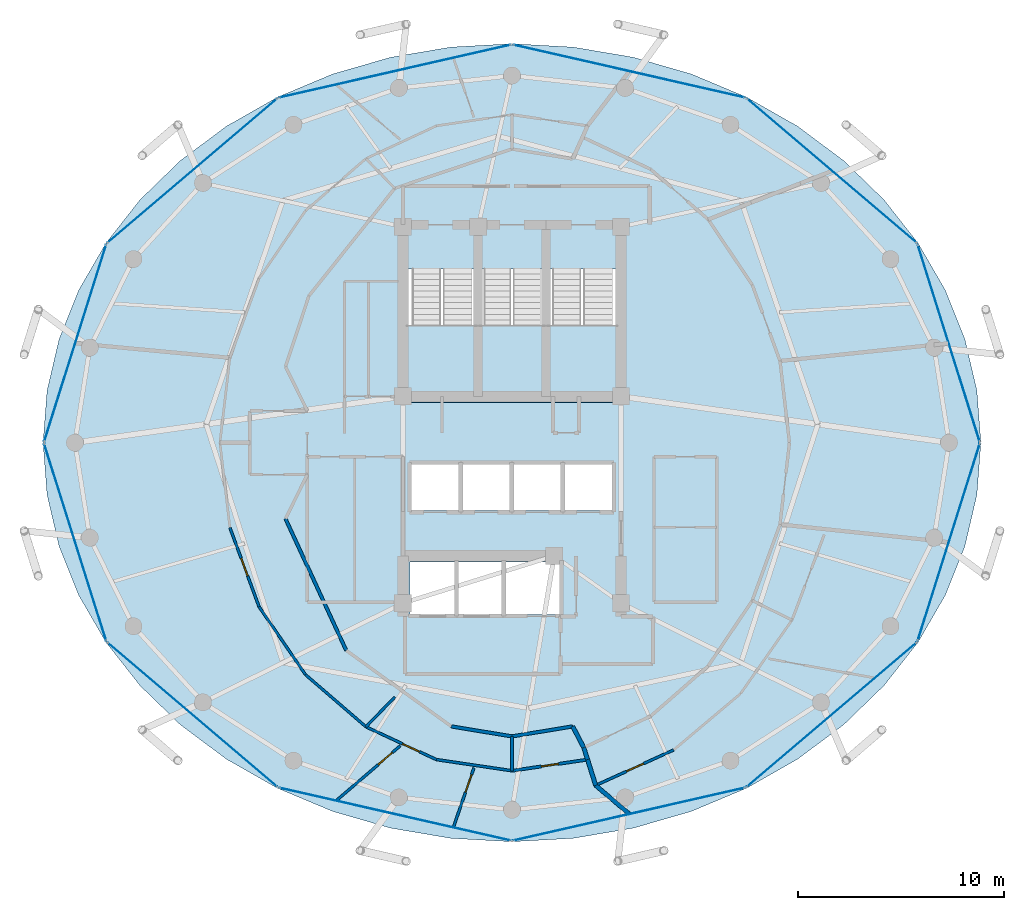
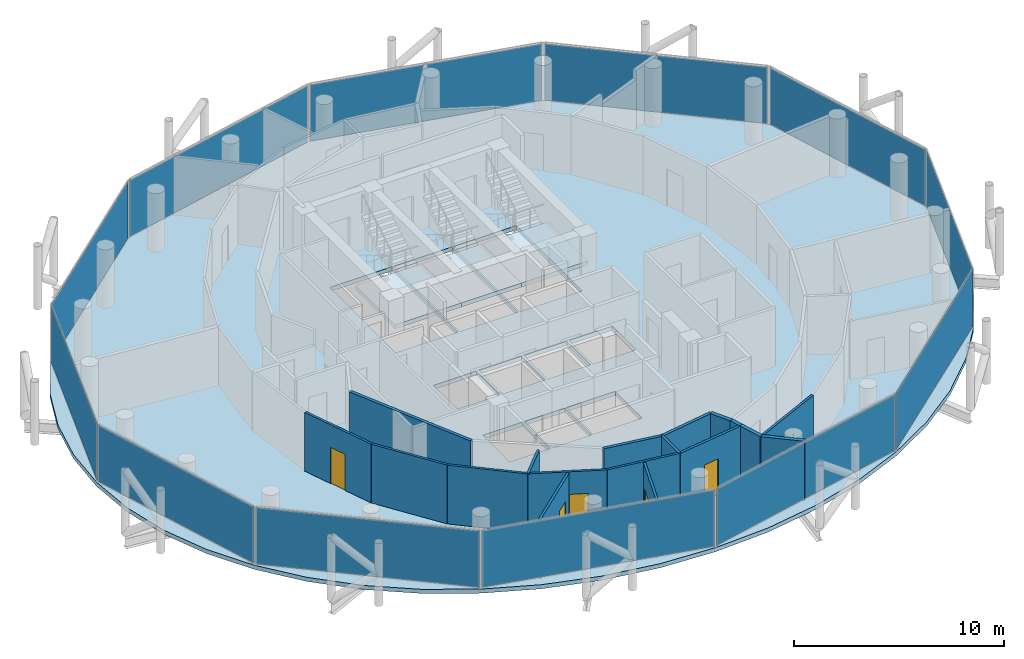
# One storey, part 22 of 27: 18 walls, 12 plates, 6 doors, 4 slabs, 6 openings, 15 elements without a shape of their own.
"""IFC4 building model written with IfcOpenShell, lengths in metres."""

import ifcopenshell
import ifcopenshell.guid

model = None  # the IFC model being written
_history = None  # IfcOwnerHistory: only IFC2X3 demands one
_inside = {}  # id of a spatial element -> (the spatial element, [elements in it])
_under = {}  # id of a project, library or spatial element -> (it, [spatial elements below it])
_declared = {}  # id of a project -> (the project, [libraries it declares])
_typed = {}  # id of a type object -> (the type object, [elements of that type])
_made_of = {}  # id of a material, layer set ... -> (it, [elements and type objects made of it])


def new_model(schema):
    """Start an empty IFC model of exactly this schema.

    Asked for "IFC4X3", IfcOpenShell would pick the latest addendum, in which some entities
    have other attributes; the version numbers below select the first issue.
    IFC2X3 requires an IfcOwnerHistory on every rooted entity: one is made here for all.
    """
    global model, _history
    if schema == "IFC4X3":
        model = ifcopenshell.file(schema_version=(4, 3, 0, 0))
    else:
        model = ifcopenshell.file(schema=schema)
    _inside.clear()
    _under.clear()
    _declared.clear()
    _typed.clear()
    _made_of.clear()
    _history = None
    if model.schema == "IFC2X3":
        org = make("IfcOrganization", Name="unknown")
        user = make(
            "IfcPersonAndOrganization",
            ThePerson=make("IfcPerson", FamilyName="unknown"),
            TheOrganization=org,
        )
        app = make(
            "IfcApplication",
            ApplicationDeveloper=org,
            Version="unknown",
            ApplicationFullName="unknown",
            ApplicationIdentifier="unknown",
        )
        _history = make(
            "IfcOwnerHistory",
            OwningUser=user,
            OwningApplication=app,
            ChangeAction="ADDED",
            CreationDate=0,
        )
    return model


def make(cls, **values):
    """One entity of the class cls with the attributes given. An attribute that is None is left unset."""
    return model.create_entity(
        cls, **{name: value for name, value in values.items() if value is not None}
    )


def rooted(cls, **values):
    """An entity with a GlobalId (a new one), such as an element, a storey or a relation."""
    return make(cls, GlobalId=ifcopenshell.guid.new(), OwnerHistory=_history, **values)


def si_unit(unit_type, name, prefix=None):
    """IfcSIUnit, for example si_unit("LENGTHUNIT", "METRE", prefix="MILLI")."""
    return make("IfcSIUnit", UnitType=unit_type, Prefix=prefix, Name=name)


def assignment(units):
    """IfcUnitAssignment: the units of a project."""
    return None if units is None else make("IfcUnitAssignment", Units=units)


def point(xyz):
    """IfcCartesianPoint."""
    return None if xyz is None else make("IfcCartesianPoint", Coordinates=xyz)


def direction(xyz):
    """IfcDirection."""
    return None if xyz is None else make("IfcDirection", DirectionRatios=xyz)


def frame(location, z_axis=None, x_axis=None):
    """IfcAxis2Placement3D, a coordinate frame: its origin and axes. An axis left out is left unset."""
    return make(
        "IfcAxis2Placement3D",
        Location=point(location),
        Axis=direction(z_axis),
        RefDirection=direction(x_axis),
    )


def frame_2d(location, x_axis=None):
    """IfcAxis2Placement2D, a coordinate frame in the plane: its origin and x axis."""
    return make(
        "IfcAxis2Placement2D", Location=point(location), RefDirection=direction(x_axis)
    )


def origin():
    """The frame at (0, 0, 0) with its axes left unset."""
    return frame((0.0, 0.0, 0.0))


def origin_2d():
    """The frame at (0, 0) in the plane with its x axis left unset."""
    return frame_2d((0.0, 0.0))


def place(relative_to, where):
    """IfcLocalPlacement: puts the frame where relative to a parent placement (None: the world)."""
    return make(
        "IfcLocalPlacement", PlacementRelTo=relative_to, RelativePlacement=where
    )


def context(
    kind, dimensions, precision=None, world=None, true_north=None, identifier=None
):
    """IfcGeometricRepresentationContext, for example the 3D "Model" context."""
    return make(
        "IfcGeometricRepresentationContext",
        ContextIdentifier=identifier,
        ContextType=kind,
        CoordinateSpaceDimension=dimensions,
        Precision=precision,
        WorldCoordinateSystem=world,
        TrueNorth=true_north,
    )


def subcontext(parent, identifier, kind, view, scale=None):
    """IfcGeometricRepresentationSubContext, for example "Body" below "Model"."""
    return make(
        "IfcGeometricRepresentationSubContext",
        ContextIdentifier=identifier,
        ContextType=kind,
        ParentContext=parent,
        TargetScale=scale,
        TargetView=view,
    )


def project(units=None, contexts=None):
    """IfcProject with its units and contexts."""
    return rooted(
        "IfcProject",
        Name="project",
        RepresentationContexts=contexts,
        UnitsInContext=assignment(units),
    )


def spatial(cls, under=None, at=None, **own):
    """A site, building, storey or space (cls), placed at a placement, below another one or the project."""
    s = rooted(cls, ObjectPlacement=at, **own)
    if under is not None:
        _under.setdefault(under.id(), (under, []))[1].append(s)
    return s


def polyline(points):
    """IfcPolyline through the points."""
    return make("IfcPolyline", Points=[point(p) for p in points])


def profile(cls, at=None, kind="AREA", **sizes):
    """A parametric profile (cls). Its sizes go by their IFC names, for example OverallWidth=200.0."""
    return make(cls, ProfileType=kind, Position=at, **sizes)


def rectangle(**sizes):
    """IfcRectangleProfileDef."""
    return profile("IfcRectangleProfileDef", **sizes)


def outline(outer, holes=None, kind="AREA"):
    """IfcArbitraryClosedProfileDef: a profile drawn as a closed curve; with holes, ...WithVoids."""
    if holes is None:
        return make("IfcArbitraryClosedProfileDef", ProfileType=kind, OuterCurve=outer)
    return make(
        "IfcArbitraryProfileDefWithVoids",
        ProfileType=kind,
        OuterCurve=outer,
        InnerCurves=holes,
    )


def extrude(swept, where, along, depth):
    """IfcExtrudedAreaSolid: the profile swept, set in the frame where, extruded along a direction by depth."""
    return make(
        "IfcExtrudedAreaSolid",
        SweptArea=swept,
        Position=where,
        ExtrudedDirection=direction(along),
        Depth=depth,
    )


def shape(context_of_items, identifier, shape_type, items):
    """IfcShapeRepresentation: the items that make up one representation, for example the "Body"."""
    return make(
        "IfcShapeRepresentation",
        ContextOfItems=context_of_items,
        RepresentationIdentifier=identifier,
        RepresentationType=shape_type,
        Items=items,
    )


def material(Name=None, Category=None):
    """IfcMaterial."""
    return make("IfcMaterial", Name=Name, Category=Category)


def layer(
    of_material, thickness, ventilated=None, Name=None, Category=None, Priority=None
):
    """IfcMaterialLayer: one layer of a wall or slab, of a material (None: an air gap)."""
    return make(
        "IfcMaterialLayer",
        Material=of_material,
        LayerThickness=thickness,
        IsVentilated=ventilated,
        Name=Name,
        Category=Category,
        Priority=Priority,
    )


def layer_set(layers, Name=None):
    """IfcMaterialLayerSet."""
    return make("IfcMaterialLayerSet", MaterialLayers=layers, LayerSetName=Name)


def made_of(thing, what):
    """Note that an element or type object is made of a material, layer set ...; save() writes the relation."""
    if what is not None:
        _made_of.setdefault(what.id(), (what, []))[1].append(thing)
    return thing


def type_object(cls, material=None, **own):
    """A type object (cls), such as IfcWallType, which elements share."""
    return made_of(rooted(cls, **own), material)


def element(
    cls,
    number,
    at=None,
    inside=None,
    cuts=None,
    type_object=None,
    material=None,
    context=None,
    identifier="Body",
    shape_type=None,
    held_by="IfcProductDefinitionShape",
    body=None,
    shapes=None,
    **own,
):
    """One element of the class cls, such as IfcWall. Its Tag is "e" and its number.

    at: its placement. inside: the storey or other place that contains it. cuts: it is an
    opening in that element (IfcRelVoidsElement). A single representation is given by context,
    identifier, shape_type and body (its items); several are given by shapes. held_by: the class
    of the entity that holds the representations. save() writes the other relations.
    """
    e = rooted(cls, Tag="e%d" % number, ObjectPlacement=at, **own)
    if body is not None:
        shapes = [shape(context, identifier, shape_type, body)]
    if shapes is not None:
        e.Representation = make(held_by, Representations=shapes)
    if inside is not None:
        _inside.setdefault(inside.id(), (inside, []))[1].append(e)
    if cuts is not None:
        rooted(
            "IfcRelVoidsElement", RelatingBuildingElement=cuts, RelatedOpeningElement=e
        )
    if type_object is not None:
        _typed.setdefault(type_object.id(), (type_object, []))[1].append(e)
    return made_of(e, material)


def fill(opening, filler):
    """IfcRelFillsElement: the door or window that sits in an opening."""
    return rooted(
        "IfcRelFillsElement",
        RelatingOpeningElement=opening,
        RelatedBuildingElement=filler,
    )


def aggregate(whole, parts):
    """IfcRelAggregates: a whole, such as a stair, and the parts it consists of."""
    return rooted("IfcRelAggregates", RelatingObject=whole, RelatedObjects=parts)


def save(model, path):
    """Write the relations noted so far, then the file.

    IfcRelAggregates (storeys below a building ...), IfcRelContainedInSpatialStructure (elements
    in a storey), IfcRelDefinesByType, IfcRelAssociatesMaterial and IfcRelDeclares: one each for
    every whole, place, type object, material and project.
    """
    for whole, parts in _under.values():
        aggregate(whole, parts)
    for where, things in _inside.values():
        rooted(
            "IfcRelContainedInSpatialStructure",
            RelatedElements=things,
            RelatingStructure=where,
        )
    for kind, things in _typed.values():
        rooted("IfcRelDefinesByType", RelatedObjects=things, RelatingType=kind)
    for what, things in _made_of.values():
        rooted("IfcRelAssociatesMaterial", RelatedObjects=things, RelatingMaterial=what)
    for by, libraries in _declared.values():
        rooted("IfcRelDeclares", RelatingContext=by, RelatedDefinitions=libraries)
    model.write(path)


model = new_model("IFC4")

# Units and contexts
model_context = context("Model", 3, precision=1e-05, world=origin(), true_north=direction((0.0, 1.0)))
body_context = subcontext(model_context, "Body", "Model", "MODEL_VIEW")
ifc_project = project(units=[si_unit("LENGTHUNIT", "METRE"), si_unit("AREAUNIT", "SQUARE_METRE"), si_unit("VOLUMEUNIT", "CUBIC_METRE"), si_unit("PLANEANGLEUNIT", "RADIAN"), si_unit("MASSUNIT", "GRAM", prefix="KILO")], contexts=[model_context])

# Site, building, storey
site_placement = place(None, origin())
site = spatial("IfcSite", under=ifc_project, at=site_placement, CompositionType="ELEMENT")
building_placement = place(site_placement, origin())
building = spatial("IfcBuilding", under=site, at=building_placement, Name="Nuhasar Tower", CompositionType="ELEMENT")
storey_placement = place(building_placement, frame((0.0, 0.0, 248.300048828125)))
storey = spatial("IfcBuildingStorey", under=building, at=storey_placement, Name="L61", CompositionType="ELEMENT", Elevation=248.300048828125)

# Curtain wall, plate
ifc_material_1 = material(Name="Aluminium 6063-T6", Category="aluminium")
ifc_layer_1 = layer(ifc_material_1, 0.18994140625)
ifc_layer_set_1 = layer_set([ifc_layer_1], Name="Aluminium 6063-T6")
curtain_wall_type = type_object("IfcCurtainWallType", Name="CW-Z3-RES", PredefinedType="NOTDEFINED", material=ifc_layer_set_1)
curtain_wall_1_placement = place(storey_placement, origin())
curtain_wall_1 = element("IfcCurtainWall", 1, at=curtain_wall_1_placement, inside=storey, type_object=curtain_wall_type, Name="L61 Unitised Curtain Wall 01", PredefinedType="NOTDEFINED")
ifc_material_2 = material(Name="Glass Double Low-E", Category="glass")
ifc_layer_2 = layer(ifc_material_2, 0.028076171875)
ifc_layer_set_2 = layer_set([ifc_layer_2], Name="Glass Double Low-E")
plate_type = type_object("IfcPlateType", Name="CW-PANEL-GLZ", PredefinedType="CURTAIN_PANEL", material=ifc_layer_set_2)
plate_1_placement = place(storey_placement, frame((60.235595703125, 31.639892578125, 0.06494140625), z_axis=(0.0, 0.0, 1.0), x_axis=(-0.30042864553, 0.95380429279, 0.0)))
plate_1 = element("IfcPlate", 2, at=plate_1_placement, type_object=plate_type, Name="CW-Z3 panel 1.1", PredefinedType="CURTAIN_PANEL", context=body_context, shape_type="SweptSolid", body=[
    extrude(rectangle(XDim=10.018798828125, YDim=0.028076171875, at=origin_2d()), origin(), (0.0, 0.0, 1.0), 3.280029296875),
])
aggregate(curtain_wall_1, [plate_1])

curtain_wall_2_placement = place(storey_placement, origin())
curtain_wall_2 = element("IfcCurtainWall", 3, at=curtain_wall_2_placement, inside=storey, type_object=curtain_wall_type, Name="L61 Unitised Curtain Wall 02", PredefinedType="NOTDEFINED")
plate_2_placement = place(storey_placement, frame((54.54541015625, 40.02294921875, 0.06494140625), z_axis=(0.0, 0.0, 1.0), x_axis=(-0.761729472562, 0.64789521578, 0.0)))
plate_2 = element("IfcPlate", 4, at=plate_2_placement, type_object=plate_type, Name="CW-Z3 panel 1.1", PredefinedType="CURTAIN_PANEL", context=body_context, shape_type="SweptSolid", body=[
    extrude(rectangle(XDim=10.806884765625, YDim=0.028076171875, at=origin_2d()), origin(), (0.0, 0.0, 1.0), 3.280029296875),
])
aggregate(curtain_wall_2, [plate_2])

curtain_wall_3_placement = place(storey_placement, origin())
curtain_wall_3 = element("IfcCurtainWall", 5, at=curtain_wall_3_placement, inside=storey, type_object=curtain_wall_type, Name="L61 Unitised Curtain Wall 03", PredefinedType="NOTDEFINED")
plate_3_placement = place(storey_placement, frame((44.68994140625, 44.863037109375, 0.06494140625), z_axis=(0.0, 0.0, 1.0), x_axis=(-0.974991266926, 0.222243176313, 0.0)))
plate_3 = element("IfcPlate", 6, at=plate_3_placement, type_object=plate_type, Name="CW-Z3 panel 1.1", PredefinedType="CURTAIN_PANEL", context=body_context, shape_type="SweptSolid", body=[
    extrude(rectangle(XDim=11.5419921875, YDim=0.028076171875, at=origin_2d()), origin(), (0.0, 0.0, 1.0), 3.280029296875),
])
aggregate(curtain_wall_3, [plate_3])

curtain_wall_4_placement = place(storey_placement, origin())
curtain_wall_4 = element("IfcCurtainWall", 7, at=curtain_wall_4_placement, inside=storey, type_object=curtain_wall_type, Name="L61 Unitised Curtain Wall 04", PredefinedType="NOTDEFINED")
plate_4_placement = place(storey_placement, frame((33.31005859375, 44.863037109375, 0.06494140625), z_axis=(0.0, 0.0, 1.0), x_axis=(-0.974991266926, -0.222243176313, 0.0)))
plate_4 = element("IfcPlate", 8, at=plate_4_placement, type_object=plate_type, Name="CW-Z3 panel 1.1", PredefinedType="CURTAIN_PANEL", context=body_context, shape_type="SweptSolid", body=[
    extrude(rectangle(XDim=11.5419921875, YDim=0.028076171875, at=origin_2d()), origin(), (0.0, 0.0, 1.0), 3.280029296875),
])
aggregate(curtain_wall_4, [plate_4])

curtain_wall_5_placement = place(storey_placement, origin())
curtain_wall_5 = element("IfcCurtainWall", 9, at=curtain_wall_5_placement, inside=storey, type_object=curtain_wall_type, Name="L61 Unitised Curtain Wall 05", PredefinedType="NOTDEFINED")
plate_5_placement = place(storey_placement, frame((23.45458984375, 40.02294921875, 0.06494140625), z_axis=(0.0, 0.0, 1.0), x_axis=(-0.761729472562, -0.64789521578, 0.0)))
plate_5 = element("IfcPlate", 10, at=plate_5_placement, type_object=plate_type, Name="CW-Z3 panel 1.1", PredefinedType="CURTAIN_PANEL", context=body_context, shape_type="SweptSolid", body=[
    extrude(rectangle(XDim=10.806884765625, YDim=0.028076171875, at=origin_2d()), origin(), (0.0, 0.0, 1.0), 3.280029296875),
])
aggregate(curtain_wall_5, [plate_5])

curtain_wall_6_placement = place(storey_placement, origin())
curtain_wall_6 = element("IfcCurtainWall", 11, at=curtain_wall_6_placement, inside=storey, type_object=curtain_wall_type, Name="L61 Unitised Curtain Wall 06", PredefinedType="NOTDEFINED")
plate_6_placement = place(storey_placement, frame((17.764404296875, 31.639892578125, 0.06494140625), z_axis=(0.0, 0.0, 1.0), x_axis=(-0.30042864553, -0.95380429279, 0.0)))
plate_6 = element("IfcPlate", 12, at=plate_6_placement, type_object=plate_type, Name="CW-Z3 panel 1.1", PredefinedType="CURTAIN_PANEL", context=body_context, shape_type="SweptSolid", body=[
    extrude(rectangle(XDim=10.018798828125, YDim=0.028076171875, at=origin_2d()), origin(), (0.0, 0.0, 1.0), 3.280029296875),
])
aggregate(curtain_wall_6, [plate_6])

curtain_wall_7_placement = place(storey_placement, origin())
curtain_wall_7 = element("IfcCurtainWall", 13, at=curtain_wall_7_placement, inside=storey, type_object=curtain_wall_type, Name="L61 Unitised Curtain Wall 07", PredefinedType="NOTDEFINED")
plate_7_placement = place(storey_placement, frame((17.764404296875, 21.9599609375, 0.06494140625), z_axis=(0.0, 0.0, 1.0), x_axis=(0.30042864553, -0.95380429279, 0.0)))
plate_7 = element("IfcPlate", 14, at=plate_7_placement, type_object=plate_type, Name="CW-Z3 panel 1.1", PredefinedType="CURTAIN_PANEL", context=body_context, shape_type="SweptSolid", body=[
    extrude(rectangle(XDim=10.018798828125, YDim=0.028076171875, at=origin_2d()), origin(), (0.0, 0.0, 1.0), 3.280029296875),
])
aggregate(curtain_wall_7, [plate_7])

curtain_wall_8_placement = place(storey_placement, origin())
curtain_wall_8 = element("IfcCurtainWall", 15, at=curtain_wall_8_placement, inside=storey, type_object=curtain_wall_type, Name="L61 Unitised Curtain Wall 08", PredefinedType="NOTDEFINED")
plate_8_placement = place(storey_placement, frame((23.45458984375, 13.576904296875, 0.06494140625), z_axis=(0.0, 0.0, 1.0), x_axis=(0.761729472562, -0.64789521578, 0.0)))
plate_8 = element("IfcPlate", 16, at=plate_8_placement, type_object=plate_type, Name="CW-Z3 panel 1.1", PredefinedType="CURTAIN_PANEL", context=body_context, shape_type="SweptSolid", body=[
    extrude(rectangle(XDim=10.806884765625, YDim=0.028076171875, at=origin_2d()), origin(), (0.0, 0.0, 1.0), 3.280029296875),
])
aggregate(curtain_wall_8, [plate_8])

curtain_wall_9_placement = place(storey_placement, origin())
curtain_wall_9 = element("IfcCurtainWall", 17, at=curtain_wall_9_placement, inside=storey, type_object=curtain_wall_type, Name="L61 Unitised Curtain Wall 09", PredefinedType="NOTDEFINED")
plate_9_placement = place(storey_placement, frame((33.31005859375, 8.737060546875, 0.06494140625), z_axis=(0.0, 0.0, 1.0), x_axis=(0.974991266926, -0.222243176313, 0.0)))
plate_9 = element("IfcPlate", 18, at=plate_9_placement, type_object=plate_type, Name="CW-Z3 panel 1.1", PredefinedType="CURTAIN_PANEL", context=body_context, shape_type="SweptSolid", body=[
    extrude(rectangle(XDim=11.5419921875, YDim=0.028076171875, at=origin_2d()), origin(), (0.0, 0.0, 1.0), 3.280029296875),
])
aggregate(curtain_wall_9, [plate_9])

curtain_wall_10_placement = place(storey_placement, origin())
curtain_wall_10 = element("IfcCurtainWall", 19, at=curtain_wall_10_placement, inside=storey, type_object=curtain_wall_type, Name="L61 Unitised Curtain Wall 10", PredefinedType="NOTDEFINED")
plate_10_placement = place(storey_placement, frame((44.68994140625, 8.737060546875, 0.06494140625), z_axis=(0.0, 0.0, 1.0), x_axis=(0.974991266926, 0.222243176313, 0.0)))
plate_10 = element("IfcPlate", 20, at=plate_10_placement, type_object=plate_type, Name="CW-Z3 panel 1.1", PredefinedType="CURTAIN_PANEL", context=body_context, shape_type="SweptSolid", body=[
    extrude(rectangle(XDim=11.5419921875, YDim=0.028076171875, at=origin_2d()), origin(), (0.0, 0.0, 1.0), 3.280029296875),
])
aggregate(curtain_wall_10, [plate_10])

curtain_wall_11_placement = place(storey_placement, origin())
curtain_wall_11 = element("IfcCurtainWall", 21, at=curtain_wall_11_placement, inside=storey, type_object=curtain_wall_type, Name="L61 Unitised Curtain Wall 11", PredefinedType="NOTDEFINED")
plate_11_placement = place(storey_placement, frame((54.54541015625, 13.576904296875, 0.06494140625), z_axis=(0.0, 0.0, 1.0), x_axis=(0.761729472562, 0.64789521578, 0.0)))
plate_11 = element("IfcPlate", 22, at=plate_11_placement, type_object=plate_type, Name="CW-Z3 panel 1.1", PredefinedType="CURTAIN_PANEL", context=body_context, shape_type="SweptSolid", body=[
    extrude(rectangle(XDim=10.806884765625, YDim=0.028076171875, at=origin_2d()), origin(), (0.0, 0.0, 1.0), 3.280029296875),
])
aggregate(curtain_wall_11, [plate_11])

curtain_wall_12_placement = place(storey_placement, origin())
curtain_wall_12 = element("IfcCurtainWall", 23, at=curtain_wall_12_placement, inside=storey, type_object=curtain_wall_type, Name="L61 Unitised Curtain Wall 12", PredefinedType="NOTDEFINED")
plate_12_placement = place(storey_placement, frame((60.235595703125, 21.9599609375, 0.06494140625), z_axis=(0.0, 0.0, 1.0), x_axis=(0.30042864553, 0.95380429279, 0.0)))
plate_12 = element("IfcPlate", 24, at=plate_12_placement, type_object=plate_type, Name="CW-Z3 panel 1.1", PredefinedType="CURTAIN_PANEL", context=body_context, shape_type="SweptSolid", body=[
    extrude(rectangle(XDim=10.018798828125, YDim=0.028076171875, at=origin_2d()), origin(), (0.0, 0.0, 1.0), 3.280029296875),
])
aggregate(curtain_wall_12, [plate_12])

# Stair, slab
ifc_material_3 = material(Name="Concrete C45/55", Category="concrete")
stair_type_1 = type_object("IfcStairType", Name="STR-ST-01-2F-22R-1659", PredefinedType="HALF_TURN_STAIR", material=ifc_material_3)
stair_1_placement = place(storey_placement, origin())
stair_1 = element("IfcStair", 25, at=stair_1_placement, inside=storey, type_object=stair_type_1, Name="L61 Exit Stair ST-01", PredefinedType="HALF_TURN_STAIR")
ifc_layer_3 = layer(ifc_material_3, 0.239990234375)
ifc_layer_set_3 = layer_set([ifc_layer_3], Name="Concrete C45/55")
slab_type_1 = type_object("IfcSlabType", Name="SLB-STAIR-LND-240", PredefinedType="LANDING", material=ifc_layer_set_3)
slab_1_placement = place(storey_placement, frame((0.0, 0.0, 1.5849609375)))
slab_1 = element("IfcSlab", 26, at=slab_1_placement, type_object=slab_type_1, Name="ST-01 landing 1", PredefinedType="LANDING", context=body_context, shape_type="SweptSolid", body=[
    extrude(outline(polyline([(33.699951171875, 28.75), (37.35009765625, 28.75), (37.35009765625, 32.52001953125), (33.699951171875, 32.52001953125), (33.699951171875, 28.75)])), origin(), (0.0, 0.0, 1.0), 0.239990234375),
])
aggregate(stair_1, [slab_1])

stair_type_2 = type_object("IfcStairType", Name="STR-ST-03-2F-22R-1659", PredefinedType="HALF_TURN_STAIR", material=ifc_material_3)
stair_2_placement = place(storey_placement, origin())
stair_2 = element("IfcStair", 27, at=stair_2_placement, inside=storey, type_object=stair_type_2, Name="L61 Exit Stair ST-03", PredefinedType="HALF_TURN_STAIR")
slab_2_placement = place(storey_placement, frame((0.0, 0.0, 1.5849609375)))
slab_2 = element("IfcSlab", 28, at=slab_2_placement, type_object=slab_type_1, Name="ST-03 landing 1", PredefinedType="LANDING", context=body_context, shape_type="SweptSolid", body=[
    extrude(outline(polyline([(37.35009765625, 28.75), (40.64990234375, 28.75), (40.64990234375, 32.52001953125), (37.35009765625, 32.52001953125), (37.35009765625, 28.75)])), origin(), (0.0, 0.0, 1.0), 0.239990234375),
])
aggregate(stair_2, [slab_2])

stair_type_3 = type_object("IfcStairType", Name="STR-ST-02-2F-22R-1659", PredefinedType="HALF_TURN_STAIR", material=ifc_material_3)
stair_3_placement = place(storey_placement, origin())
stair_3 = element("IfcStair", 29, at=stair_3_placement, inside=storey, type_object=stair_type_3, Name="L61 Exit Stair ST-02", PredefinedType="HALF_TURN_STAIR")
slab_3_placement = place(storey_placement, frame((0.0, 0.0, 1.5849609375)))
slab_3 = element("IfcSlab", 30, at=slab_3_placement, type_object=slab_type_1, Name="ST-02 landing 1", PredefinedType="LANDING", context=body_context, shape_type="SweptSolid", body=[
    extrude(outline(polyline([(40.64990234375, 28.75), (44.300048828125, 28.75), (44.300048828125, 32.52001953125), (40.64990234375, 32.52001953125), (40.64990234375, 28.75)])), origin(), (0.0, 0.0, 1.0), 0.239990234375),
])
aggregate(stair_3, [slab_3])

# Slab
ifc_layer_4 = layer(ifc_material_3, 0.239990234375)
ifc_layer_set_4 = layer_set([ifc_layer_4], Name="Concrete C45/55")
slab_type_2 = type_object("IfcSlabType", Name="SLB-Z3-240", PredefinedType="FLOOR", material=ifc_layer_set_4)
slab_4_placement = place(storey_placement, frame((0.0, 0.0, -0.239990234375)))
element("IfcSlab", 31, at=slab_4_placement, inside=storey, type_object=slab_type_2, Name="L61 Structural Slab", PredefinedType="FLOOR", context=body_context, shape_type="SweptSolid", body=[
    extrude(outline(polyline([(61.800048828125, 26.800048828125), (61.60498046875, 29.33203125), (61.02294921875, 31.821044921875), (60.06396484375, 34.22412109375), (58.7451171875, 36.5), (57.087890625, 38.610107421875), (55.1220703125, 40.51806640625), (52.8798828125, 42.19091796875), (50.39990234375, 43.60107421875), (47.72509765625, 44.722900390625), (44.90087890625, 45.5390625), (41.97607421875, 46.033935546875), (39.0, 46.199951171875), (36.02392578125, 46.033935546875), (33.09912109375, 45.5390625), (30.27490234375, 44.722900390625), (27.60009765625, 43.60107421875), (25.1201171875, 42.19091796875), (22.8779296875, 40.51806640625), (20.912109375, 38.610107421875), (19.2548828125, 36.5), (17.93603515625, 34.22412109375), (16.97705078125, 31.821044921875), (16.39501953125, 29.33203125), (16.199951171875, 26.800048828125), (16.39501953125, 24.26806640625), (16.97705078125, 21.779052734375), (17.93603515625, 19.3759765625), (19.2548828125, 17.10009765625), (20.912109375, 14.989990234375), (22.8779296875, 13.08203125), (25.1201171875, 11.408935546875), (27.60009765625, 9.9990234375), (30.27490234375, 8.876953125), (33.09912109375, 8.06103515625), (36.02392578125, 7.56591796875), (39.0, 7.39990234375), (41.97607421875, 7.56591796875), (44.90087890625, 8.06103515625), (47.72509765625, 8.876953125), (50.39990234375, 9.9990234375), (52.8798828125, 11.408935546875), (55.1220703125, 13.08203125), (57.087890625, 14.989990234375), (58.7451171875, 17.10009765625), (60.06396484375, 19.3759765625), (61.02294921875, 21.779052734375), (61.60498046875, 24.26806640625), (61.800048828125, 26.800048828125)]), holes=[polyline([(33.8798828125, 35.25), (37.300048828125, 35.25), (37.300048828125, 29.0), (33.8798828125, 29.0), (33.8798828125, 35.25)]), polyline([(37.39990234375, 35.25), (40.60009765625, 35.25), (40.60009765625, 29.0), (37.39990234375, 29.0), (37.39990234375, 35.25)]), polyline([(40.699951171875, 35.25), (44.1201171875, 35.25), (44.1201171875, 29.0), (40.699951171875, 29.0), (40.699951171875, 35.25)]), polyline([(34.10009765625, 25.75), (36.43994140625, 25.75), (36.43994140625, 23.5), (34.10009765625, 23.5), (34.10009765625, 25.75)]), polyline([(36.580078125, 25.75), (38.919921875, 25.75), (38.919921875, 23.5), (36.580078125, 23.5), (36.580078125, 25.75)]), polyline([(39.06005859375, 25.75), (41.39990234375, 25.75), (41.39990234375, 23.5), (39.06005859375, 23.5), (39.06005859375, 25.75)]), polyline([(41.5400390625, 25.75), (43.8798828125, 25.75), (43.8798828125, 23.5), (41.5400390625, 23.5), (41.5400390625, 25.75)]), polyline([(34.050048828125, 21.0), (36.25, 21.0), (36.25, 18.449951171875), (34.050048828125, 18.449951171875), (34.050048828125, 21.0)]), polyline([(36.35009765625, 21.0), (38.550048828125, 21.0), (38.550048828125, 18.449951171875), (36.35009765625, 18.449951171875), (36.35009765625, 21.0)]), polyline([(38.64990234375, 21.0), (41.320068359375, 21.0), (41.320068359375, 18.449951171875), (38.64990234375, 18.449951171875), (38.64990234375, 21.0)])]), origin(), (0.0, 0.0, 1.0), 0.239990234375),
])

# Walls
ifc_material_4 = material(Name="Gypsum Board", Category="gypsum")
ifc_layer_5 = layer(ifc_material_4, 0.159912109375)
ifc_layer_set_5 = layer_set([ifc_layer_5], Name="Gypsum Board")
wall_type_1 = type_object("IfcWallType", Name="WL-CORR-160", PredefinedType="PARTITIONING", material=ifc_layer_set_5)
wall_1_placement = place(storey_placement, frame((27.988037109375, 23.10400390625, 0.0), z_axis=(0.0, 0.0, 1.0), x_axis=(0.418656179426, -0.908144814128, 0.0)))
element("IfcWall", 32, at=wall_1_placement, inside=storey, type_object=wall_type_1, Name="L61 Interior Partition UWEST-CORE-S1-26", PredefinedType="PARTITIONING", context=body_context, shape_type="SweptSolid", body=[
    extrude(rectangle(XDim=7.048583984375, YDim=0.159912109375, at=frame_2d((3.5244140625, 0.0))), origin(), (0.0, 0.0, 1.0), 3.409912109375),
])
for number, where, z_axis, x_axis, name in (
    (33, (36.049072265625, 13.007080078125, 0.0), (0.0, 0.0, 1.0), (0.986650832406, -0.162850038111, 0.0), "L61 Interior Partition UWEST-CORE-S1-34"),
    (34, (39.0, 12.52001953125, 0.0), (0.0, 0.0, 1.0), (0.986650832406, 0.162850038111, 0.0), "L61 Interior Partition UWEST-CORE-S2-36"),
):
    element("IfcWall", number, at=place(storey_placement, frame(where, z_axis=z_axis, x_axis=x_axis)), inside=storey, type_object=wall_type_1, Name=name, PredefinedType="PARTITIONING", context=body_context, shape_type="SweptSolid", body=[
        extrude(rectangle(XDim=2.990966796875, YDim=0.159912109375, at=frame_2d((1.49560546875, 0.0))), origin(), (0.0, 0.0, 1.0), 3.409912109375),
    ])

# Wall, opening, door
ifc_layer_6 = layer(ifc_material_4, 0.125)
ifc_layer_set_6 = layer_set([ifc_layer_6], Name="Gypsum Board")
wall_type_2 = type_object("IfcWallType", Name="WL-PART-125", PredefinedType="PARTITIONING", material=ifc_layer_set_6)
wall_2_placement = place(storey_placement, frame((46.860107421875, 11.861083984375, 0.0), z_axis=(0.0, 0.0, 1.0), x_axis=(-0.910370493014, -0.413794109975, 0.0)))
wall_2 = element("IfcWall", 35, at=wall_2_placement, inside=storey, type_object=wall_type_2, Name="L61 Interior Partition UMID-01-A-38", PredefinedType="PARTITIONING", context=body_context, shape_type="SweptSolid", body=[
    extrude(rectangle(XDim=4.164306640625, YDim=0.125, at=frame_2d((2.08203125, 0.0))), origin(), (0.0, 0.0, 1.0), 3.409912109375),
])
opening_1_placement = place(wall_2_placement, frame((1.60693359375, 0.0, 0.0)))
opening_1 = element("IfcOpeningElement", 36, at=opening_1_placement, cuts=wall_2, Name="Opening DR-01", PredefinedType="OPENING", context=body_context, shape_type="SweptSolid", body=[
    extrude(rectangle(XDim=0.89990234375, YDim=2.10009765625, at=frame_2d((0.449951171875, 1.050048828125))), frame((0.0, 0.072509765625, 0.0), z_axis=(0.0, -1.0, 0.0), x_axis=(1.0, 0.0, 0.0)), (0.0, 0.0, 1.0), 0.14501953125),
])
ifc_material_5 = material(Name="Timber Oak", Category="wood")
door_type_1 = type_object("IfcDoorType", Name="DR-ROOM-900", OperationType="NOTDEFINED", PredefinedType="DOOR", material=ifc_material_5)
door_1_placement = place(opening_1_placement, origin())
door_1 = element("IfcDoor", 37, at=door_1_placement, inside=storey, type_object=door_type_1, Name="L61 U01 Living Door", OperationType="SINGLE_SWING_LEFT", OverallHeight=2.10009765625, OverallWidth=0.89990234375, PredefinedType="DOOR", context=body_context, shape_type="SweptSolid", body=[
    extrude(rectangle(XDim=0.89990234375, YDim=2.10009765625, at=frame_2d((0.449951171875, 1.050048828125))), frame((0.0, 0.02490234375, 0.0), z_axis=(0.0, -1.0, 0.0), x_axis=(1.0, 0.0, 0.0)), (0.0, 0.0, 1.0), 0.050048828125),
])
fill(opening_1, door_1)

wall_3_placement = place(storey_placement, frame((35.324951171875, 11.39306640625, 0.0), z_axis=(0.0, 0.0, 1.0), x_axis=(-0.906625113427, 0.421937085007, 0.0)))
wall_3 = element("IfcWall", 38, at=wall_3_placement, inside=storey, type_object=wall_type_2, Name="L61 Interior Partition USM-2-K-32", PredefinedType="PARTITIONING", context=body_context, shape_type="SweptSolid", body=[
    extrude(rectangle(XDim=3.77783203125, YDim=0.125, at=frame_2d((1.888916015625, 0.0))), origin(), (0.0, 0.0, 1.0), 3.409912109375),
])
opening_2_placement = place(wall_3_placement, frame((0.907958984375, 0.0, 0.0)))
opening_2 = element("IfcOpeningElement", 39, at=opening_2_placement, cuts=wall_3, Name="Opening DR-01", PredefinedType="OPENING", context=body_context, shape_type="SweptSolid", body=[
    extrude(rectangle(XDim=0.89990234375, YDim=2.10009765625, at=frame_2d((0.449951171875, 1.050048828125))), frame((0.0, 0.072509765625, 0.0), z_axis=(0.0, -1.0, 0.0), x_axis=(1.0, 0.0, 0.0)), (0.0, 0.0, 1.0), 0.14501953125),
])
door_2_placement = place(opening_2_placement, origin())
door_2 = element("IfcDoor", 40, at=door_2_placement, inside=storey, type_object=door_type_1, Name="L61 South-West Sky Home Kitchen Door", OperationType="SINGLE_SWING_LEFT", OverallHeight=2.10009765625, OverallWidth=0.89990234375, PredefinedType="DOOR", context=body_context, shape_type="SweptSolid", body=[
    extrude(rectangle(XDim=0.89990234375, YDim=2.10009765625, at=frame_2d((0.449951171875, 1.050048828125))), frame((0.0, 0.02490234375, 0.0), z_axis=(0.0, -1.0, 0.0), x_axis=(1.0, 0.0, 0.0)), (0.0, 0.0, 1.0), 0.050048828125),
])
fill(opening_2, door_2)

# Walls
wall_4_placement = place(storey_placement, frame((35.324951171875, 11.39306640625, 0.0), z_axis=(0.0, 0.0, 1.0), x_axis=(0.989261252839, -0.146158043334, 0.0)))
element("IfcWall", 41, at=wall_4_placement, inside=storey, type_object=wall_type_2, Name="L61 Interior Partition USM-2-K-34", PredefinedType="PARTITIONING", context=body_context, shape_type="SweptSolid", body=[
    extrude(rectangle(XDim=3.71484375, YDim=0.125, at=frame_2d((1.857421875, 0.0))), origin(), (0.0, 0.0, 1.0), 3.409912109375),
])
wall_5_placement = place(storey_placement, frame((33.300048828125, 14.43310546875, 0.0), z_axis=(0.0, 0.0, 1.0), x_axis=(-0.695613346208, -0.718416364358, 0.0)))
element("IfcWall", 42, at=wall_5_placement, inside=storey, type_object=wall_type_2, Name="L61 Interior Partition USI-2-DK", PredefinedType="PARTITIONING", context=body_context, shape_type="SweptSolid", body=[
    extrude(rectangle(XDim=2.012939453125, YDim=0.125, at=frame_2d((1.00634765625, 0.0))), origin(), (0.0, 0.0, 1.0), 3.409912109375),
])

# Wall, opening, door
wall_6_placement = place(storey_placement, frame((26.701904296875, 18.824951171875, 0.0), z_axis=(0.0, 0.0, 1.0), x_axis=(-0.345832286314, 0.938296344308, 0.0)))
wall_6 = element("IfcWall", 43, at=wall_6_placement, inside=storey, type_object=wall_type_2, Name="L61 Interior Partition USM-2-D-26", PredefinedType="PARTITIONING", context=body_context, shape_type="SweptSolid", body=[
    extrude(rectangle(XDim=4.10009765625, YDim=0.125, at=frame_2d((2.050048828125, 0.0))), origin(), (0.0, 0.0, 1.0), 3.409912109375),
])
opening_3_placement = place(wall_6_placement, frame((1.60009765625, 0.0, 0.0)))
opening_3 = element("IfcOpeningElement", 44, at=opening_3_placement, cuts=wall_6, Name="Opening DR-01", PredefinedType="OPENING", context=body_context, shape_type="SweptSolid", body=[
    extrude(rectangle(XDim=0.89990234375, YDim=2.10009765625, at=frame_2d((0.449951171875, 1.050048828125))), frame((0.0, 0.072509765625, 0.0), z_axis=(0.0, -1.0, 0.0), x_axis=(1.0, 0.0, 0.0)), (0.0, 0.0, 1.0), 0.14501953125),
])
door_3_placement = place(opening_3_placement, origin())
door_3 = element("IfcDoor", 45, at=door_3_placement, inside=storey, type_object=door_type_1, Name="L61 South-West Sky Home Living Door", OperationType="SINGLE_SWING_LEFT", OverallHeight=2.10009765625, OverallWidth=0.89990234375, PredefinedType="DOOR", context=body_context, shape_type="SweptSolid", body=[
    extrude(rectangle(XDim=0.89990234375, YDim=2.10009765625, at=frame_2d((0.449951171875, 1.050048828125))), frame((0.0, 0.02490234375, 0.0), z_axis=(0.0, -1.0, 0.0), x_axis=(1.0, 0.0, 0.0)), (0.0, 0.0, 1.0), 0.050048828125),
])
fill(opening_3, door_3)

# Walls
wall_7_placement = place(storey_placement, frame((26.701904296875, 18.824951171875, 0.0), z_axis=(0.0, 0.0, 1.0), x_axis=(0.56419813198, -0.825639429697, 0.0)))
element("IfcWall", 46, at=wall_7_placement, inside=storey, type_object=wall_type_2, Name="L61 Interior Partition USM-2-D-28", PredefinedType="PARTITIONING", context=body_context, shape_type="SweptSolid", body=[
    extrude(rectangle(XDim=4.00048828125, YDim=0.125, at=frame_2d((2.000244140625, 0.0))), origin(), (0.0, 0.0, 1.0), 3.409912109375),
])
wall_8_placement = place(storey_placement, frame((28.958984375, 15.52197265625, 0.0), z_axis=(0.0, 0.0, 1.0), x_axis=(0.757456069071, -0.652886133585, 0.0)))
element("IfcWall", 47, at=wall_8_placement, inside=storey, type_object=wall_type_2, Name="L61 Interior Partition USM-2-D-30", PredefinedType="PARTITIONING", context=body_context, shape_type="SweptSolid", body=[
    extrude(rectangle(XDim=3.882568359375, YDim=0.125, at=frame_2d((1.94140625, 0.0))), origin(), (0.0, 0.0, 1.0), 3.409912109375),
])

# Wall, opening, door
wall_9_placement = place(storey_placement, frame((33.56591796875, 12.06396484375, 0.0), z_axis=(0.0, 0.0, 1.0), x_axis=(-0.759231178262, -0.650821033738, 0.0)))
wall_9 = element("IfcWall", 48, at=wall_9_placement, inside=storey, type_object=wall_type_2, Name="L61 Interior Partition USO-2-B1", PredefinedType="PARTITIONING", context=body_context, shape_type="SweptSolid", body=[
    extrude(rectangle(XDim=4.067138671875, YDim=0.125, at=frame_2d((2.03369140625, 0.0))), origin(), (0.0, 0.0, 1.0), 3.409912109375),
])
opening_4_placement = place(wall_9_placement, frame((0.501953125, 0.0, 0.0)))
opening_4 = element("IfcOpeningElement", 49, at=opening_4_placement, cuts=wall_9, Name="Opening DR-01", PredefinedType="OPENING", context=body_context, shape_type="SweptSolid", body=[
    extrude(rectangle(XDim=0.89990234375, YDim=2.10009765625, at=frame_2d((0.449951171875, 1.050048828125))), frame((0.0, 0.072509765625, 0.0), z_axis=(0.0, -1.0, 0.0), x_axis=(1.0, 0.0, 0.0)), (0.0, 0.0, 1.0), 0.14501953125),
])
door_4_placement = place(opening_4_placement, origin())
door_4 = element("IfcDoor", 50, at=door_4_placement, inside=storey, type_object=door_type_1, Name="L61 South-West Sky Home Study Door", OperationType="SINGLE_SWING_LEFT", OverallHeight=2.10009765625, OverallWidth=0.89990234375, PredefinedType="DOOR", context=body_context, shape_type="SweptSolid", body=[
    extrude(rectangle(XDim=0.89990234375, YDim=2.10009765625, at=frame_2d((0.449951171875, 1.050048828125))), frame((0.0, 0.02490234375, 0.0), z_axis=(0.0, -1.0, 0.0), x_axis=(1.0, 0.0, 0.0)), (0.0, 0.0, 1.0), 0.050048828125),
])
fill(opening_4, door_4)

wall_10_placement = place(storey_placement, frame((37.14697265625, 10.986083984375, 0.0), z_axis=(0.0, 0.0, 1.0), x_axis=(-0.326122303086, -0.945327585248, 0.0)))
wall_10 = element("IfcWall", 51, at=wall_10_placement, inside=storey, type_object=wall_type_2, Name="L61 Interior Partition USO-2-B2", PredefinedType="PARTITIONING", context=body_context, shape_type="SweptSolid", body=[
    extrude(rectangle(XDim=3.029541015625, YDim=0.125, at=frame_2d((1.5146484375, 0.0))), origin(), (0.0, 0.0, 1.0), 3.409912109375),
])
opening_5_placement = place(wall_10_placement, frame((0.35009765625, 0.0, 0.0)))
opening_5 = element("IfcOpeningElement", 52, at=opening_5_placement, cuts=wall_10, Name="Opening DR-01", PredefinedType="OPENING", context=body_context, shape_type="SweptSolid", body=[
    extrude(rectangle(XDim=0.89990234375, YDim=2.10009765625, at=frame_2d((0.449951171875, 1.050048828125))), frame((0.0, 0.072509765625, 0.0), z_axis=(0.0, -1.0, 0.0), x_axis=(1.0, 0.0, 0.0)), (0.0, 0.0, 1.0), 0.14501953125),
])
door_5_placement = place(opening_5_placement, origin())
door_5 = element("IfcDoor", 53, at=door_5_placement, inside=storey, type_object=door_type_1, Name="L61 South-West Sky Home Master Bedroom Door", OperationType="SINGLE_SWING_LEFT", OverallHeight=2.10009765625, OverallWidth=0.89990234375, PredefinedType="DOOR", context=body_context, shape_type="SweptSolid", body=[
    extrude(rectangle(XDim=0.89990234375, YDim=2.10009765625, at=frame_2d((0.449951171875, 1.050048828125))), frame((0.0, 0.02490234375, 0.0), z_axis=(0.0, -1.0, 0.0), x_axis=(1.0, 0.0, 0.0)), (0.0, 0.0, 1.0), 0.050048828125),
])
fill(opening_5, door_5)

# Walls
ifc_material_6 = material(Name="Concrete C40/50 precast", Category="concrete")
ifc_layer_7 = layer(ifc_material_6, 0.199951171875)
ifc_layer_set_7 = layer_set([ifc_layer_7], Name="Concrete C40/50 precast")
wall_type_3 = type_object("IfcWallType", Name="WL-UNIT-200", PredefinedType="PARTITIONING", material=ifc_layer_set_7)
wall_11_placement = place(storey_placement, frame((41.950927734375, 13.007080078125, 0.0), z_axis=(0.0, 0.0, 1.0), x_axis=(0.462880643217, -0.886420616939, 0.0)))
element("IfcWall", 54, at=wall_11_placement, inside=storey, type_object=wall_type_3, Name="L61 Interior Partition URAD-38-SW-S1", PredefinedType="PARTITIONING", context=body_context, shape_type="SweptSolid", body=[
    extrude(rectangle(XDim=1.166748046875, YDim=0.199951171875, at=frame_2d((0.58349609375, 0.0))), origin(), (0.0, 0.0, 1.0), 3.409912109375),
])
wall_12_placement = place(storey_placement, frame((42.490966796875, 11.972900390625, 0.0), z_axis=(0.0, 0.0, 1.0), x_axis=(0.302590706118, -0.953120592879, 0.0)))
element("IfcWall", 55, at=wall_12_placement, inside=storey, type_object=wall_type_3, Name="L61 Interior Partition URAD-38-SW-S2", PredefinedType="PARTITIONING", context=body_context, shape_type="SweptSolid", body=[
    extrude(rectangle(XDim=0.6083984375, YDim=0.199951171875, at=frame_2d((0.30419921875, 0.0))), origin(), (0.0, 0.0, 1.0), 3.409912109375),
])
wall_13_placement = place(storey_placement, frame((42.675048828125, 11.39306640625, 0.0), z_axis=(0.0, 0.0, 1.0), x_axis=(0.299532212957, -0.954086187617, 0.0)))
element("IfcWall", 56, at=wall_13_placement, inside=storey, type_object=wall_type_3, Name="L61 Interior Partition URAD-38-SW-S3", PredefinedType="PARTITIONING", context=body_context, shape_type="SweptSolid", body=[
    extrude(rectangle(XDim=1.3154296875, YDim=0.199951171875, at=frame_2d((0.65771484375, 0.0))), origin(), (0.0, 0.0, 1.0), 3.409912109375),
])
wall_14_placement = place(storey_placement, frame((43.069091796875, 10.137939453125, 0.0), z_axis=(0.0, 0.0, 1.0), x_axis=(0.762434894115, -0.647064936645, 0.0)))
element("IfcWall", 57, at=wall_14_placement, inside=storey, type_object=wall_type_3, Name="L61 Interior Partition URAD-38-SW-S4", PredefinedType="PARTITIONING", context=body_context, shape_type="SweptSolid", body=[
    extrude(rectangle(XDim=2.114013671875, YDim=0.199951171875, at=frame_2d((1.05712890625, 0.0))), origin(), (0.0, 0.0, 1.0), 3.409912109375),
])

# Wall, opening, door
ifc_layer_8 = layer(ifc_material_6, 0.139892578125)
ifc_layer_set_8 = layer_set([ifc_layer_8], Name="Concrete C40/50 precast")
wall_type_4 = type_object("IfcWallType", Name="WL-WET-140", PredefinedType="PARTITIONING", material=ifc_layer_set_8)
wall_15_placement = place(storey_placement, frame((42.675048828125, 11.39306640625, 0.0), z_axis=(0.0, 0.0, 1.0), x_axis=(-0.989261252839, -0.146158043334, 0.0)))
wall_15 = element("IfcWall", 58, at=wall_15_placement, inside=storey, type_object=wall_type_4, Name="L61 Interior Partition USM-2-B-36", PredefinedType="PARTITIONING", context=body_context, shape_type="SweptSolid", body=[
    extrude(rectangle(XDim=3.71484375, YDim=0.139892578125, at=frame_2d((1.857421875, 0.0))), origin(), (0.0, 0.0, 1.0), 3.409912109375),
])
opening_6_placement = place(wall_15_placement, frame((1.431884765625, 0.0, 0.0)))
opening_6 = element("IfcOpeningElement", 59, at=opening_6_placement, cuts=wall_15, Name="Opening DB-01", PredefinedType="OPENING", context=body_context, shape_type="SweptSolid", body=[
    extrude(rectangle(XDim=0.85009765625, YDim=2.10009765625, at=frame_2d((0.425048828125, 1.050048828125))), frame((0.0, 0.080078125, 0.0), z_axis=(0.0, -1.0, 0.0), x_axis=(1.0, 0.0, 0.0)), (0.0, 0.0, 1.0), 0.159912109375),
])
door_type_2 = type_object("IfcDoorType", Name="DR-BATH-850", OperationType="NOTDEFINED", PredefinedType="DOOR", material=ifc_material_5)
door_6_placement = place(opening_6_placement, origin())
door_6 = element("IfcDoor", 60, at=door_6_placement, inside=storey, type_object=door_type_2, Name="L61 South-West Sky Home En-Suite Door", OperationType="SINGLE_SWING_LEFT", OverallHeight=2.10009765625, OverallWidth=0.85009765625, PredefinedType="DOOR", context=body_context, shape_type="SweptSolid", body=[
    extrude(rectangle(XDim=0.85009765625, YDim=2.10009765625, at=frame_2d((0.425048828125, 1.050048828125))), frame((0.0, 0.02490234375, 0.0), z_axis=(0.0, -1.0, 0.0), x_axis=(1.0, 0.0, 0.0)), (0.0, 0.0, 1.0), 0.050048828125),
])
fill(opening_6, door_6)

# Wall
wall_16_placement = place(storey_placement, frame((39.0, 12.52001953125, 0.0), z_axis=(0.0, 0.0, 1.0), x_axis=(0.0, -1.0, 0.0)))
element("IfcWall", 61, at=wall_16_placement, inside=storey, type_object=wall_type_4, Name="L61 Interior Partition USI-2-KB", PredefinedType="PARTITIONING", context=body_context, shape_type="SweptSolid", body=[
    extrude(rectangle(XDim=1.669921875, YDim=0.139892578125, at=frame_2d((0.8349609375, 0.0))), origin(), (0.0, 0.0, 1.0), 3.409912109375),
])

save(model, "model.ifc")
